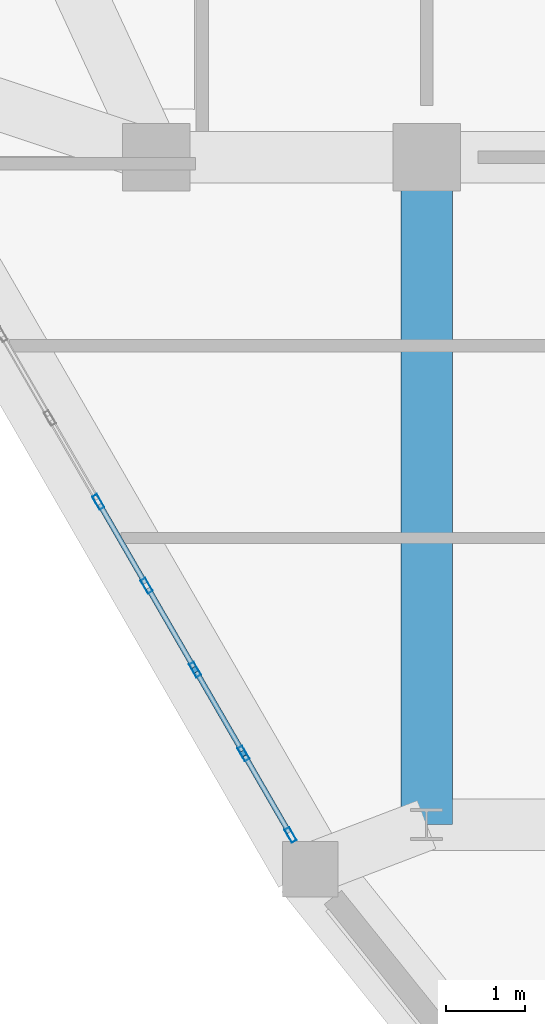
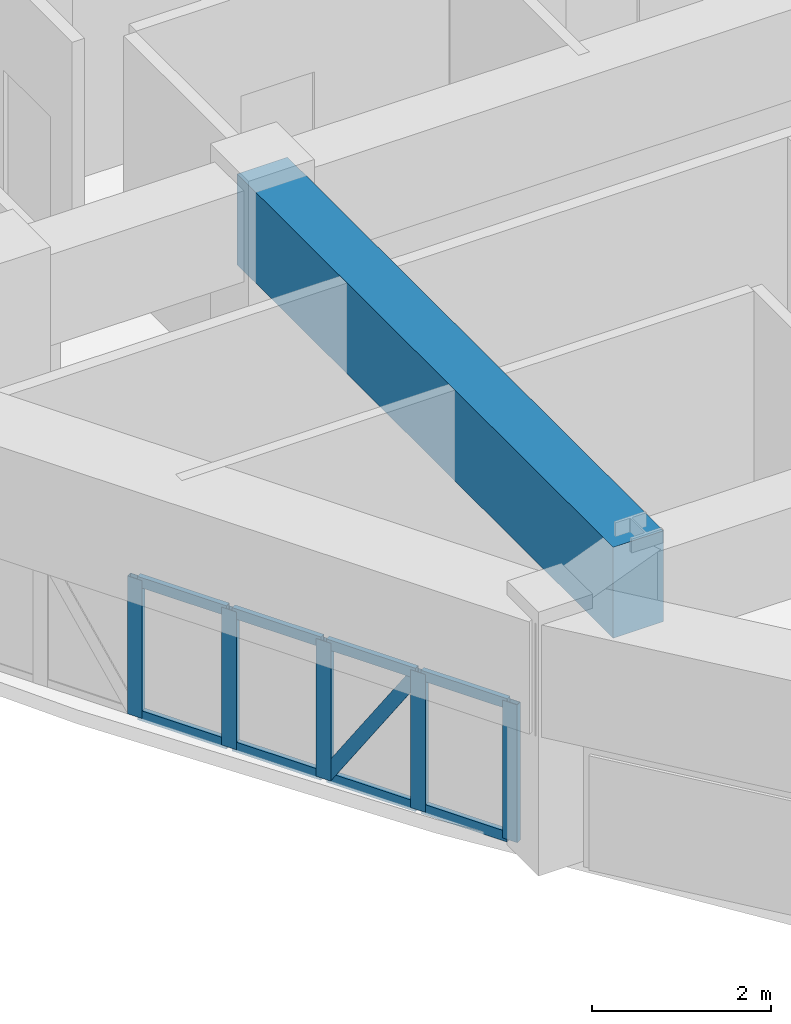
# One storey, part 2 of 14: 14 members, 1 beam, 1 element without a shape of its own.
"""IFC4 building model written with IfcOpenShell, lengths in metres."""

from ifc_helpers import new_model, si_unit, derived_unit, direction, frame, origin, origin_2d, place, context, subcontext, project, spatial, rectangle, hollow_rectangle, extrude, source, transform, mapped, material, layer, layer_set, material_profile, profile_set, type_object, element, aggregate, save


model = new_model("IFC4")

# Units and contexts
model_context = context("Model", 3, precision=1e-05, world=origin(), true_north=direction((0.0, 1.0)))
body_context = subcontext(model_context, "Body", "Model", "MODEL_VIEW")
ifc_project = project(units=[si_unit("LENGTHUNIT", "METRE"), si_unit("AREAUNIT", "SQUARE_METRE"), si_unit("VOLUMEUNIT", "CUBIC_METRE"), si_unit("PLANEANGLEUNIT", "RADIAN"), si_unit("MASSUNIT", "GRAM", prefix="KILO"), derived_unit("THERMALTRANSMITTANCEUNIT", [(si_unit("POWERUNIT", "WATT"), 1), (si_unit("LENGTHUNIT", "METRE"), -2), (si_unit("THERMODYNAMICTEMPERATUREUNIT", "KELVIN"), -1)])], contexts=[model_context])

# Site, building, storey
site_placement = place(None, origin())
site = spatial("IfcSite", under=ifc_project, at=site_placement, CompositionType="ELEMENT")
building_placement = place(site_placement, origin())
building = spatial("IfcBuilding", under=site, at=building_placement, Name="Korsvarv Bourse and Concert Hall", CompositionType="ELEMENT")
storey_placement = place(building_placement, frame((0.0, 0.0, 253.800048828125)))
storey = spatial("IfcBuildingStorey", under=building, at=storey_placement, Name="L66", CompositionType="ELEMENT", Elevation=253.800048828125)

# Beam
ifc_material_1 = material(Name="Concrete C50/60", Category="concrete")
ifc_material_profile_1 = material_profile(ifc_material_1, rectangle(XDim=0.64990234375, YDim=1.239990234375, at=origin_2d()), Name="RC-BM 650x1240")
ifc_profile_set_1 = profile_set([ifc_material_profile_1], Name="Concrete C50/60")
beam_type = type_object("IfcBeamType", Name="BM-TR-SPN", PredefinedType="BEAM", material=ifc_profile_set_1)
shared_shape_1 = source(origin(), body_context, "Body", "SweptSolid", [
    extrude(rectangle(XDim=0.64990234375, YDim=1.239990234375, at=origin_2d()), origin(), (0.0, 0.0, 1.0), 8.39990234375),
])
beam_placement = place(storey_placement, frame((27.60009765625, 24.0, 2.7900390625), z_axis=(0.0, 1.0, 0.0), x_axis=(-1.0, 0.0, 0.0)))
element("IfcBeam", 1, at=beam_placement, inside=storey, type_object=beam_type, Name="L66 beam B-TRS", PredefinedType="BEAM", context=body_context, shape_type="MappedRepresentation", body=[
    mapped(shared_shape_1, transform((0.0, 0.0, 0.0), scale=1.0)),
])

# Curtain wall, members
ifc_material_2 = material(Name="Anodised aluminium and triple low-E glazing", Category="glass")
ifc_layer = layer(ifc_material_2, 0.199951171875)
ifc_layer_set = layer_set([ifc_layer], Name="Anodised aluminium and triple low-E glazing")
curtain_wall_type = type_object("IfcCurtainWallType", Name="CW-SYS-3", PredefinedType="NOTDEFINED", material=ifc_layer_set)
curtain_wall_placement = place(storey_placement, origin())
curtain_wall = element("IfcCurtainWall", 2, at=curtain_wall_placement, inside=storey, type_object=curtain_wall_type, Name="L66 CW3 curtain wall CW-L66-F07", PredefinedType="NOTDEFINED")
ifc_material_3 = material(Name="Extruded aluminium EN AW-6063 T66", Category="aluminium")
ifc_material_profile_2 = material_profile(ifc_material_3, hollow_rectangle(XDim=0.06494140625, YDim=0.139892578125, WallThickness=0.00390625, at=origin_2d()), Name="ALU-T 65x140")
ifc_profile_set_2 = profile_set([ifc_material_profile_2], Name="Extruded aluminium EN AW-6063 T66")
member_type_1 = type_object("IfcMemberType", Name="CWT-140", PredefinedType="USERDEFINED", material=ifc_profile_set_2)
shared_shape_2 = source(origin(), body_context, "Body", "SweptSolid", [
    extrude(hollow_rectangle(XDim=0.06494140625, YDim=0.139892578125, WallThickness=0.00390625, at=origin_2d()), origin(), (0.0, 0.0, 1.0), 1.113525390625),
])
member_1_placement = place(storey_placement, frame((25.313232421875, 24.864501953125, 0.032470703125), z_axis=(0.500076692731, -0.865981120687, 0.0), x_axis=(0.865981120687, 0.500076692731, 0.0)))
member_1 = element("IfcMember", 3, at=member_1_placement, type_object=member_type_1, Name="CW3 transom 9.1", ObjectType="TRANSOM", PredefinedType="USERDEFINED", context=body_context, shape_type="MappedRepresentation", body=[
    mapped(shared_shape_2, transform((0.0, 0.0, 0.0), scale=1.0)),
])
member_2_placement = place(storey_placement, frame((25.313232421875, 24.864501953125, 1.847412109375), z_axis=(0.500076692731, -0.865981120687, 0.0), x_axis=(0.865981120687, 0.500076692731, 0.0)))
member_2 = element("IfcMember", 4, at=member_2_placement, type_object=member_type_1, Name="CW3 transom 9.2", ObjectType="TRANSOM", PredefinedType="USERDEFINED", context=body_context, shape_type="MappedRepresentation", body=[
    mapped(shared_shape_2, transform((0.0, 0.0, 0.0), scale=1.0)),
])
shared_shape_3 = source(origin(), body_context, "Body", "SweptSolid", [
    extrude(hollow_rectangle(XDim=0.06494140625, YDim=0.139892578125, WallThickness=0.00390625, at=origin_2d()), origin(), (0.0, 0.0, 1.0), 1.148681640625),
])
member_3_placement = place(storey_placement, frame((23.4853515625, 28.03076171875, 0.032470703125), z_axis=(0.49988803956, -0.866090034526, 0.0), x_axis=(0.866090034526, 0.49988803956, 0.0)))
member_3 = element("IfcMember", 5, at=member_3_placement, type_object=member_type_1, Name="CW3 transom 6.1", ObjectType="TRANSOM", PredefinedType="USERDEFINED", context=body_context, shape_type="MappedRepresentation", body=[
    mapped(shared_shape_3, transform((0.0, 0.0, 0.0), scale=1.0)),
])
member_4_placement = place(storey_placement, frame((23.4853515625, 28.03076171875, 1.847412109375), z_axis=(0.49988803956, -0.866090034526, 0.0), x_axis=(0.866090034526, 0.49988803956, 0.0)))
member_4 = element("IfcMember", 6, at=member_4_placement, type_object=member_type_1, Name="CW3 transom 6.2", ObjectType="TRANSOM", PredefinedType="USERDEFINED", context=body_context, shape_type="MappedRepresentation", body=[
    mapped(shared_shape_3, transform((0.0, 0.0, 0.0), scale=1.0)),
])
member_5_placement = place(storey_placement, frame((24.0947265625, 26.975341796875, 0.032470703125), z_axis=(0.49988803956, -0.866090034526, 0.0), x_axis=(0.866090034526, 0.49988803956, 0.0)))
member_5 = element("IfcMember", 7, at=member_5_placement, type_object=member_type_1, Name="CW3 transom 7.1", ObjectType="TRANSOM", PredefinedType="USERDEFINED", context=body_context, shape_type="MappedRepresentation", body=[
    mapped(shared_shape_3, transform((0.0, 0.0, 0.0), scale=1.0)),
])
member_6_placement = place(storey_placement, frame((24.0947265625, 26.975341796875, 1.847412109375), z_axis=(0.49988803956, -0.866090034526, 0.0), x_axis=(0.866090034526, 0.49988803956, 0.0)))
member_6 = element("IfcMember", 8, at=member_6_placement, type_object=member_type_1, Name="CW3 transom 7.2", ObjectType="TRANSOM", PredefinedType="USERDEFINED", context=body_context, shape_type="MappedRepresentation", body=[
    mapped(shared_shape_3, transform((0.0, 0.0, 0.0), scale=1.0)),
])
member_7_placement = place(storey_placement, frame((24.703857421875, 25.919921875, 0.032470703125), z_axis=(0.500139482584, -0.865944858499, 0.0), x_axis=(0.865944858499, 0.500139482584, 0.0)))
member_7 = element("IfcMember", 9, at=member_7_placement, type_object=member_type_1, Name="CW3 transom 8.1", ObjectType="TRANSOM", PredefinedType="USERDEFINED", context=body_context, shape_type="MappedRepresentation", body=[
    mapped(shared_shape_3, transform((0.0, 0.0, 0.0), scale=1.0)),
])
member_8_placement = place(storey_placement, frame((24.703857421875, 25.919921875, 1.847412109375), z_axis=(0.500139482584, -0.865944858499, 0.0), x_axis=(0.865944858499, 0.500139482584, 0.0)))
member_8 = element("IfcMember", 10, at=member_8_placement, type_object=member_type_1, Name="CW3 transom 8.2", ObjectType="TRANSOM", PredefinedType="USERDEFINED", context=body_context, shape_type="MappedRepresentation", body=[
    mapped(shared_shape_3, transform((0.0, 0.0, 0.0), scale=1.0)),
])
ifc_material_profile_3 = material_profile(ifc_material_3, hollow_rectangle(XDim=0.070068359375, YDim=0.18994140625, WallThickness=0.0048828125, at=origin_2d()), Name="ALU-M 70x190")
ifc_profile_set_3 = profile_set([ifc_material_profile_3], Name="Extruded aluminium EN AW-6063 T66")
member_type_2 = type_object("IfcMemberType", Name="CWM-190", PredefinedType="MULLION", material=ifc_profile_set_3)
shared_shape_4 = source(origin(), body_context, "Body", "SweptSolid", [
    extrude(hollow_rectangle(XDim=0.070068359375, YDim=0.18994140625, WallThickness=0.0048828125, at=origin_2d()), origin(), (0.0, 0.0, 1.0), 1.8798828125),
])
member_9_placement = place(storey_placement, frame((23.4677734375, 28.06103515625, 0.0), z_axis=(0.0, 0.0, 1.0), x_axis=(0.866023274265, 0.500003688417, 0.0)))
member_9 = element("IfcMember", 11, at=member_9_placement, type_object=member_type_2, Name="CW3 mullion 6", PredefinedType="MULLION", context=body_context, shape_type="MappedRepresentation", body=[
    mapped(shared_shape_4, transform((0.0, 0.0, 0.0), scale=1.0)),
])
member_10_placement = place(storey_placement, frame((24.0771484375, 27.005615234375, 0.0), z_axis=(0.0, 0.0, 1.0), x_axis=(0.866023274265, 0.500003688417, 0.0)))
member_10 = element("IfcMember", 12, at=member_10_placement, type_object=member_type_2, Name="CW3 mullion 7", PredefinedType="MULLION", context=body_context, shape_type="MappedRepresentation", body=[
    mapped(shared_shape_4, transform((0.0, 0.0, 0.0), scale=1.0)),
])
member_11_placement = place(storey_placement, frame((24.6865234375, 25.9501953125, 0.0), z_axis=(0.0, 0.0, 1.0), x_axis=(0.866023274265, 0.500003688417, 0.0)))
member_11 = element("IfcMember", 13, at=member_11_placement, type_object=member_type_2, Name="CW3 mullion 8", PredefinedType="MULLION", context=body_context, shape_type="MappedRepresentation", body=[
    mapped(shared_shape_4, transform((0.0, 0.0, 0.0), scale=1.0)),
])
member_12_placement = place(storey_placement, frame((25.2958984375, 24.894775390625, 0.0), z_axis=(0.0, 0.0, 1.0), x_axis=(0.866023274265, 0.500003688417, 0.0)))
member_12 = element("IfcMember", 14, at=member_12_placement, type_object=member_type_2, Name="CW3 mullion 9", PredefinedType="MULLION", context=body_context, shape_type="MappedRepresentation", body=[
    mapped(shared_shape_4, transform((0.0, 0.0, 0.0), scale=1.0)),
])
member_13_placement = place(storey_placement, frame((25.8876953125, 23.869873046875, 0.0), z_axis=(0.0, 0.0, 1.0), x_axis=(0.866023274265, 0.500003688417, 0.0)))
member_13 = element("IfcMember", 15, at=member_13_placement, type_object=member_type_2, Name="CW3 mullion 10", PredefinedType="MULLION", context=body_context, shape_type="MappedRepresentation", body=[
    mapped(shared_shape_4, transform((0.0, 0.0, 0.0), scale=1.0)),
])
ifc_material_profile_4 = material_profile(ifc_material_3, hollow_rectangle(XDim=0.06494140625, YDim=0.1650390625, WallThickness=0.0048828125, at=origin_2d()), Name="ALU-M 65x165")
ifc_profile_set_4 = profile_set([ifc_material_profile_4], Name="Extruded aluminium EN AW-6063 T66")
member_type_3 = type_object("IfcMemberType", Name="CWM-165", PredefinedType="MULLION", material=ifc_profile_set_4)
shared_shape_5 = source(origin(), body_context, "Body", "SweptSolid", [
    extrude(hollow_rectangle(XDim=0.06494140625, YDim=0.1650390625, WallThickness=0.0048828125, at=origin_2d()), origin(), (0.0, 0.0, 1.0), 2.09326171875),
])
member_14_placement = place(storey_placement, frame((24.703857421875, 25.919921875, 0.06494140625), z_axis=(0.274432781536, -0.475154760722, 0.836011125394), x_axis=(0.865944858499, 0.500139482584, 0.0)))
member_14 = element("IfcMember", 16, at=member_14_placement, type_object=member_type_3, Name="CW3 diagonal mullion 8", PredefinedType="MULLION", context=body_context, shape_type="MappedRepresentation", body=[
    mapped(shared_shape_5, transform((0.0, 0.0, 0.0), scale=1.0)),
])
aggregate(curtain_wall, [member_9, member_10, member_11, member_12, member_13, member_3, member_4, member_5, member_6, member_7, member_8, member_14, member_1, member_2])

save(model, "model.ifc")
